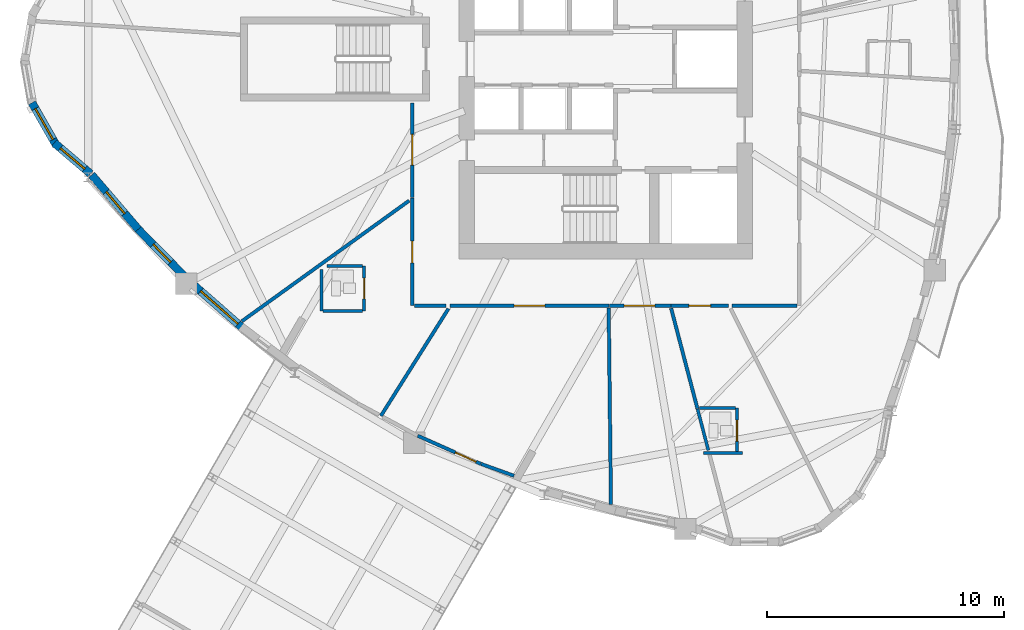
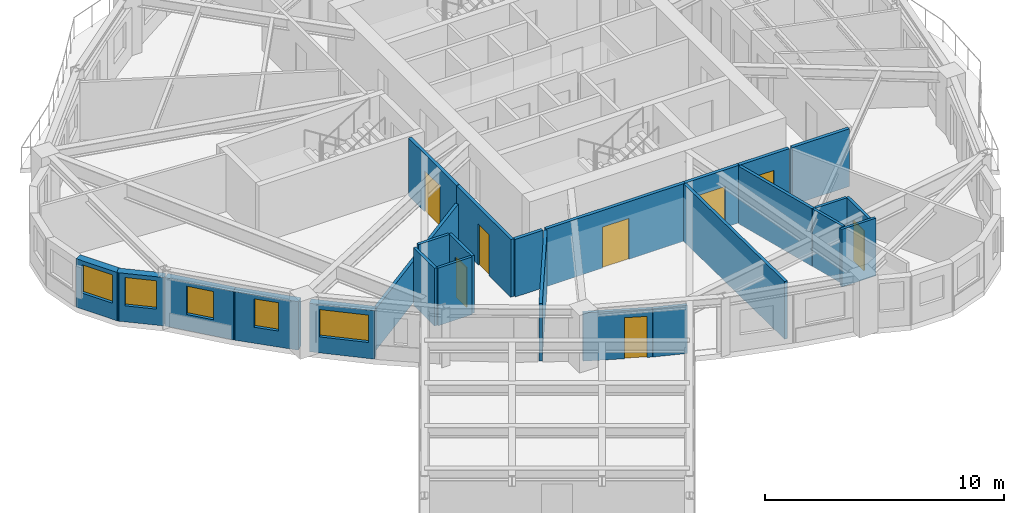
# One storey, part 5 of 17: 26 walls, 8 doors, 5 windows, 13 openings.
"""IFC4 building model written with IfcOpenShell, lengths in metres."""

from ifc_helpers import new_model, si_unit, direction, frame, frame_2d, origin, place, context, subcontext, project, spatial, rectangle, extrude, source, transform, mapped, material, layer, layer_set, type_object, element, fill, save


model = new_model("IFC4")

# Units and contexts
model_context = context("Model", 3, precision=1e-05, world=origin(), true_north=direction((0.0, 1.0)))
body_context = subcontext(model_context, "Body", "Model", "MODEL_VIEW")
ifc_project = project(units=[si_unit("LENGTHUNIT", "METRE"), si_unit("AREAUNIT", "SQUARE_METRE"), si_unit("VOLUMEUNIT", "CUBIC_METRE"), si_unit("PLANEANGLEUNIT", "RADIAN"), si_unit("MASSUNIT", "GRAM", prefix="KILO")], contexts=[model_context])

# Site, building, storey
site_placement = place(None, origin())
site = spatial("IfcSite", under=ifc_project, at=site_placement, CompositionType="ELEMENT")
building_placement = place(site_placement, origin())
building = spatial("IfcBuilding", under=site, at=building_placement, Name="Qafzar Sky-Pleat Residences", CompositionType="ELEMENT")
storey_placement = place(building_placement, frame((0.0, 0.0, 115.199951171875)))
storey = spatial("IfcBuildingStorey", under=building, at=storey_placement, Name="L34", CompositionType="ELEMENT", Elevation=115.199951171875)

# Wall, opening, door
ifc_material_1 = material(Name="Acoustic gypsum plasterboard partition", Category="gypsum")
ifc_layer_1 = layer(ifc_material_1, 0.159912109375)
ifc_layer_set_1 = layer_set([ifc_layer_1], Name="Acoustic gypsum plasterboard partition")
wall_type_1 = type_object("IfcWallType", Name="PART-COR-160", PredefinedType="PARTITIONING", material=ifc_layer_set_1)
wall_1_placement = place(storey_placement, frame((30.486083984375, 15.570068359375, 0.0), z_axis=(0.0, 0.0, 1.0), x_axis=(-1.0, 0.0, 0.0)))
wall_1 = element("IfcWall", 1, at=wall_1_placement, inside=storey, type_object=wall_type_1, Name="L34 Partition Wall PART-L34-PW-002", PredefinedType="PARTITIONING", context=body_context, shape_type="SweptSolid", body=[
    extrude(rectangle(XDim=6.72509765625, YDim=0.159912109375, at=frame_2d((3.362548828125, 0.0))), origin(), (0.0, 0.0, 1.0), 2.949951171875),
])
opening_1_placement = place(wall_1_placement, frame((2.71142578125, 0.0, 0.0)))
opening_1 = element("IfcOpeningElement", 2, at=opening_1_placement, cuts=wall_1, Name="Opening ID-05", PredefinedType="OPENING", context=body_context, shape_type="SweptSolid", body=[
    extrude(rectangle(XDim=1.300048828125, YDim=2.10009765625, at=frame_2d((0.64990234375, 1.050048828125))), frame((0.0, 0.08984375, 0.0), z_axis=(0.0, -1.0, 0.0), x_axis=(1.0, 0.0, 0.0)), (0.0, 0.0, 1.0), 0.179931640625),
])
ifc_material_2 = material(Name="Timber-faced fire door", Category="wood")
door_type_1 = type_object("IfcDoorType", Name="DR-LNG-1300", OperationType="DOUBLE_DOOR_SINGLE_SWING", PredefinedType="DOOR", material=ifc_material_2)
shared_shape_1 = source(origin(), body_context, "Body", "SweptSolid", [
    extrude(rectangle(XDim=1.300048828125, YDim=2.10009765625, at=frame_2d((0.64990234375, 1.050048828125))), frame((0.0, 0.02490234375, 0.0), z_axis=(0.0, -1.0, 0.0), x_axis=(1.0, 0.0, 0.0)), (0.0, 0.0, 1.0), 0.050048828125),
])
door_1_placement = place(opening_1_placement, origin())
door_1 = element("IfcDoor", 3, at=door_1_placement, inside=storey, type_object=door_type_1, Name="L34 Co-Living Lounge Door", OperationType="DOUBLE_DOOR_SINGLE_SWING", OverallHeight=2.10009765625, OverallWidth=1.300048828125, PredefinedType="DOOR", context=body_context, shape_type="MappedRepresentation", body=[
    mapped(shared_shape_1, transform((0.0, 0.0, 0.0), x_axis=(1.0, 0.0, 0.0), y_axis=(0.0, 1.0, 0.0), z_axis=(0.0, 0.0, 1.0), scale=1.0)),
])
fill(opening_1, door_1)

wall_2_placement = place(storey_placement, frame((22.169921875, 15.570068359375, 0.0), z_axis=(0.0, 0.0, 1.0), x_axis=(0.0, 1.0, 0.0)))
wall_2 = element("IfcWall", 4, at=wall_2_placement, inside=storey, type_object=wall_type_1, Name="L34 Partition Wall PART-L34-PW-005", PredefinedType="PARTITIONING", context=body_context, shape_type="SweptSolid", body=[
    extrude(rectangle(XDim=4.554931640625, YDim=0.159912109375, at=frame_2d((2.27734375, 0.0))), origin(), (0.0, 0.0, 1.0), 2.949951171875),
])
opening_2_placement = place(wall_2_placement, frame((1.80810546875, 0.0, 0.0)))
opening_2 = element("IfcOpeningElement", 5, at=opening_2_placement, cuts=wall_2, Name="Opening ID-04", PredefinedType="OPENING", context=body_context, shape_type="SweptSolid", body=[
    extrude(rectangle(XDim=0.919921875, YDim=2.10009765625, at=frame_2d((0.4599609375, 1.050048828125))), frame((0.0, 0.08984375, 0.0), z_axis=(0.0, -1.0, 0.0), x_axis=(1.0, 0.0, 0.0)), (0.0, 0.0, 1.0), 0.179931640625),
])
door_type_2 = type_object("IfcDoorType", Name="DR-BED-920", OperationType="NOTDEFINED", PredefinedType="DOOR", material=ifc_material_2)
shared_shape_2 = source(origin(), body_context, "Body", "SweptSolid", [
    extrude(rectangle(XDim=0.919921875, YDim=2.10009765625, at=frame_2d((0.4599609375, 1.050048828125))), frame((0.0, 0.02490234375, 0.0), z_axis=(0.0, -1.0, 0.0), x_axis=(1.0, 0.0, 0.0)), (0.0, 0.0, 1.0), 0.050048828125),
])
door_2_placement = place(opening_2_placement, origin())
door_2 = element("IfcDoor", 6, at=door_2_placement, inside=storey, type_object=door_type_2, Name="L34 Co-Living Bedroom 7 Door", OperationType="SINGLE_SWING_LEFT", OverallHeight=2.10009765625, OverallWidth=0.919921875, PredefinedType="DOOR", context=body_context, shape_type="MappedRepresentation", body=[
    mapped(shared_shape_2, transform((0.0, 0.0, 0.0), x_axis=(1.0, 0.0, 0.0), y_axis=(0.0, 1.0, 0.0), z_axis=(0.0, 0.0, 1.0), scale=1.0)),
])
fill(opening_2, door_2)

wall_3_placement = place(storey_placement, frame((22.169921875, 20.139892578125, 0.0), z_axis=(0.0, 0.0, 1.0), x_axis=(0.0, 1.0, 0.0)))
wall_3 = element("IfcWall", 7, at=wall_3_placement, inside=storey, type_object=wall_type_1, Name="L34 Partition Wall PART-L34-PW-006", PredefinedType="PARTITIONING", context=body_context, shape_type="SweptSolid", body=[
    extrude(rectangle(XDim=4.010009765625, YDim=0.159912109375, at=frame_2d((2.0048828125, 0.0))), origin(), (0.0, 0.0, 1.0), 2.949951171875),
])
opening_3_placement = place(wall_3_placement, frame((1.37548828125, 0.0, 0.0)))
opening_3 = element("IfcOpeningElement", 8, at=opening_3_placement, cuts=wall_3, Name="Opening ID-05", PredefinedType="OPENING", context=body_context, shape_type="SweptSolid", body=[
    extrude(rectangle(XDim=1.300048828125, YDim=2.10009765625, at=frame_2d((0.64990234375, 1.050048828125))), frame((0.0, 0.08984375, 0.0), z_axis=(0.0, -1.0, 0.0), x_axis=(1.0, 0.0, 0.0)), (0.0, 0.0, 1.0), 0.179931640625),
])
door_3_placement = place(opening_3_placement, origin())
door_3 = element("IfcDoor", 9, at=door_3_placement, inside=storey, type_object=door_type_1, Name="L34 Academic Seminar Room Door", OperationType="DOUBLE_DOOR_SINGLE_SWING", OverallHeight=2.10009765625, OverallWidth=1.300048828125, PredefinedType="DOOR", context=body_context, shape_type="MappedRepresentation", body=[
    mapped(shared_shape_1, transform((0.0, 0.0, 0.0), x_axis=(1.0, 0.0, 0.0), y_axis=(0.0, 1.0, 0.0), z_axis=(0.0, 0.0, 1.0), scale=1.0)),
])
fill(opening_3, door_3)

wall_4_placement = place(storey_placement, frame((33.09912109375, 15.570068359375, 0.0), z_axis=(0.0, 0.0, 1.0), x_axis=(-1.0, 0.0, 0.0)))
wall_4 = element("IfcWall", 10, at=wall_4_placement, inside=storey, type_object=wall_type_1, Name="L34 Partition Wall PART-L34-PW-010", PredefinedType="PARTITIONING", context=body_context, shape_type="SweptSolid", body=[
    extrude(rectangle(XDim=2.59814453125, YDim=0.159912109375, at=frame_2d((1.299072265625, 0.0))), origin(), (0.0, 0.0, 1.0), 2.949951171875),
])
opening_4_placement = place(wall_4_placement, frame((0.67138671875, 0.0, 0.0)))
opening_4 = element("IfcOpeningElement", 11, at=opening_4_placement, cuts=wall_4, Name="Opening ID-05", PredefinedType="OPENING", context=body_context, shape_type="SweptSolid", body=[
    extrude(rectangle(XDim=1.300048828125, YDim=2.10009765625, at=frame_2d((0.64990234375, 1.050048828125))), frame((0.0, 0.08984375, 0.0), z_axis=(0.0, -1.0, 0.0), x_axis=(1.0, 0.0, 0.0)), (0.0, 0.0, 1.0), 0.179931640625),
])
door_4_placement = place(opening_4_placement, origin())
door_4 = element("IfcDoor", 12, at=door_4_placement, inside=storey, type_object=door_type_1, Name="L34 Communal Kitchen Door", OperationType="DOUBLE_DOOR_SINGLE_SWING", OverallHeight=2.10009765625, OverallWidth=1.300048828125, PredefinedType="DOOR", context=body_context, shape_type="MappedRepresentation", body=[
    mapped(shared_shape_1, transform((0.0, 0.0, 0.0), x_axis=(1.0, 0.0, 0.0), y_axis=(0.0, 1.0, 0.0), z_axis=(0.0, 0.0, 1.0), scale=1.0)),
])
fill(opening_4, door_4)

wall_5_placement = place(storey_placement, frame((35.535888671875, 15.570068359375, 0.0), z_axis=(0.0, 0.0, 1.0), x_axis=(-1.0, 0.0, 0.0)))
wall_5 = element("IfcWall", 13, at=wall_5_placement, inside=storey, type_object=wall_type_1, Name="L34 Partition Wall PART-L34-PW-013", PredefinedType="PARTITIONING", context=body_context, shape_type="SweptSolid", body=[
    extrude(rectangle(XDim=2.421875, YDim=0.159912109375, at=frame_2d((1.2109375, 0.0))), origin(), (0.0, 0.0, 1.0), 2.949951171875),
])
opening_5_placement = place(wall_5_placement, frame((0.75, 0.0, 0.0)))
opening_5 = element("IfcOpeningElement", 14, at=opening_5_placement, cuts=wall_5, Name="Opening ID-04", PredefinedType="OPENING", context=body_context, shape_type="SweptSolid", body=[
    extrude(rectangle(XDim=0.919921875, YDim=2.10009765625, at=frame_2d((0.4599609375, 1.050048828125))), frame((0.0, 0.08984375, 0.0), z_axis=(0.0, -1.0, 0.0), x_axis=(1.0, 0.0, 0.0)), (0.0, 0.0, 1.0), 0.179931640625),
])
door_5_placement = place(opening_5_placement, origin())
door_5 = element("IfcDoor", 15, at=door_5_placement, inside=storey, type_object=door_type_2, Name="L34 Co-Living Bedroom 8 Door", OperationType="SINGLE_SWING_LEFT", OverallHeight=2.10009765625, OverallWidth=0.919921875, PredefinedType="DOOR", context=body_context, shape_type="MappedRepresentation", body=[
    mapped(shared_shape_2, transform((0.0, 0.0, 0.0), x_axis=(1.0, 0.0, 0.0), y_axis=(0.0, 1.0, 0.0), z_axis=(0.0, 0.0, 1.0), scale=1.0)),
])
fill(opening_5, door_5)

# Walls
wall_6_placement = place(storey_placement, frame((35.68017578125, 15.570068359375, 0.0), z_axis=(0.0, 0.0, 1.0), x_axis=(1.0, 0.0, 0.0)))
element("IfcWall", 16, at=wall_6_placement, inside=storey, type_object=wall_type_1, Name="L34 Partition Wall PART-L34-PW-051", PredefinedType="PARTITIONING", context=body_context, shape_type="SweptSolid", body=[
    extrude(rectangle(XDim=2.76171875, YDim=0.159912109375, at=frame_2d((1.380859375, 0.0))), origin(), (0.0, 0.0, 1.0), 2.949951171875),
])
wall_7_placement = place(storey_placement, frame((22.258056640625, 15.570068359375, 0.0), z_axis=(0.0, 0.0, 1.0), x_axis=(1.0, 0.0, 0.0)))
element("IfcWall", 17, at=wall_7_placement, inside=storey, type_object=wall_type_1, Name="L34 Partition Wall PART-L34-PW-070", PredefinedType="PARTITIONING", context=body_context, shape_type="SweptSolid", body=[
    extrude(rectangle(XDim=1.34375, YDim=0.159912109375, at=frame_2d((0.671875, 0.0))), origin(), (0.0, 0.0, 1.0), 2.949951171875),
])

# Wall, opening, door
ifc_layer_2 = layer(ifc_material_1, 0.14501953125)
ifc_layer_set_2 = layer_set([ifc_layer_2], Name="Acoustic gypsum plasterboard partition")
wall_type_2 = type_object("IfcWallType", Name="PART-UNIT-145", PredefinedType="PARTITIONING", material=ifc_layer_set_2)
wall_8_placement = place(storey_placement, frame((25.071044921875, 8.884033203125, 0.0), z_axis=(0.0, 0.0, 1.0), x_axis=(-0.913404708383, 0.407052623997, 0.0)))
wall_8 = element("IfcWall", 18, at=wall_8_placement, inside=storey, type_object=wall_type_2, Name="L34 Partition Wall PART-L34-PW-008", PredefinedType="PARTITIONING", context=body_context, shape_type="SweptSolid", body=[
    extrude(rectangle(XDim=2.92333984375, YDim=0.14501953125, at=frame_2d((1.461669921875, 0.0))), origin(), (0.0, 0.0, 1.0), 2.468017578125),
])
opening_6_placement = place(wall_8_placement, frame((0.219970703125, 0.0, 0.0)))
opening_6 = element("IfcOpeningElement", 19, at=opening_6_placement, cuts=wall_8, Name="Opening ID-06", PredefinedType="OPENING", context=body_context, shape_type="SweptSolid", body=[
    extrude(rectangle(XDim=0.9599609375, YDim=2.10009765625, at=frame_2d((0.47998046875, 1.050048828125))), frame((0.0, 0.08251953125, 0.0), z_axis=(0.0, -1.0, 0.0), x_axis=(1.0, 0.0, 0.0)), (0.0, 0.0, 1.0), 0.1650390625),
])
door_type_3 = type_object("IfcDoorType", Name="DR-STD-960", OperationType="NOTDEFINED", PredefinedType="DOOR", material=ifc_material_2)
shared_shape_3 = source(origin(), body_context, "Body", "SweptSolid", [
    extrude(rectangle(XDim=0.9599609375, YDim=2.10009765625, at=frame_2d((0.47998046875, 1.050048828125))), frame((0.0, 0.02490234375, 0.0), z_axis=(0.0, -1.0, 0.0), x_axis=(1.0, 0.0, 0.0)), (0.0, 0.0, 1.0), 0.050048828125),
])
door_6_placement = place(opening_6_placement, origin())
door_6 = element("IfcDoor", 20, at=door_6_placement, inside=storey, type_object=door_type_3, Name="L34 Sky-Bar Reading Library Door", OperationType="SINGLE_SWING_LEFT", OverallHeight=2.10009765625, OverallWidth=0.9599609375, PredefinedType="DOOR", context=body_context, shape_type="MappedRepresentation", body=[
    mapped(shared_shape_3, transform((0.0, 0.0, 0.0), x_axis=(1.0, 0.0, 0.0), y_axis=(0.0, 1.0, 0.0), z_axis=(0.0, 0.0, 1.0), scale=1.0)),
])
fill(opening_6, door_6)

# Walls
wall_9_placement = place(storey_placement, frame((14.96630859375, 14.915283203125, 0.0), z_axis=(0.0, 0.0, 1.0), x_axis=(0.811310715309, 0.584615192434, 0.0)))
element("IfcWall", 21, at=wall_9_placement, inside=storey, type_object=wall_type_2, Name="L34 Partition Wall PART-L34-PW-036", PredefinedType="PARTITIONING", context=body_context, shape_type="SweptSolid", body=[
    extrude(rectangle(XDim=8.72021484375, YDim=0.14501953125, at=frame_2d((4.360107421875, 0.0))), origin(), (0.0, 0.0, 1.0), 2.1181640625),
])
wall_10_placement = place(storey_placement, frame((30.471923828125, 15.481201171875, 0.0), z_axis=(0.0, 0.0, 1.0), x_axis=(0.011623708307, -0.999932442421, 0.0)))
element("IfcWall", 22, at=wall_10_placement, inside=storey, type_object=wall_type_2, Name="L34 Partition Wall PART-L34-PW-038", PredefinedType="PARTITIONING", context=body_context, shape_type="SweptSolid", body=[
    extrude(rectangle(XDim=8.3173828125, YDim=0.14501953125, at=frame_2d((4.15869140625, 0.0))), origin(), (0.0, 0.0, 1.0), 2.949951171875),
])
wall_11_placement = place(storey_placement, frame((20.844970703125, 10.9140625, 0.0), z_axis=(0.0, 0.0, 1.0), x_axis=(0.533007953382, 0.846110230189, 0.0)))
element("IfcWall", 23, at=wall_11_placement, inside=storey, type_object=wall_type_2, Name="L34 Partition Wall PART-L34-PW-044", PredefinedType="PARTITIONING", context=body_context, shape_type="SweptSolid", body=[
    extrude(rectangle(XDim=5.3544921875, YDim=0.14501953125, at=frame_2d((2.67724609375, 0.0))), origin(), (0.0, 0.0, 1.0), 2.949951171875),
])
wall_12_placement = place(storey_placement, frame((33.11181640625, 15.4638671875, 0.0), z_axis=(0.0, 0.0, 1.0), x_axis=(0.253558008984, -0.967320182814, 0.0)))
element("IfcWall", 24, at=wall_12_placement, inside=storey, type_object=wall_type_2, Name="L34 Partition Wall PART-L34-PW-045", PredefinedType="PARTITIONING", context=body_context, shape_type="SweptSolid", body=[
    extrude(rectangle(XDim=4.382080078125, YDim=0.14501953125, at=frame_2d((2.19091796875, 0.0))), origin(), (0.0, 0.0, 1.0), 2.949951171875),
])
wall_13_placement = place(storey_placement, frame((25.085205078125, 8.87890625, 0.0), z_axis=(0.0, 0.0, 1.0), x_axis=(0.941166260093, -0.337943887151, 0.0)))
element("IfcWall", 25, at=wall_13_placement, inside=storey, type_object=wall_type_2, Name="L34 Partition Wall PART-L34-PW-076", PredefinedType="PARTITIONING", context=body_context, shape_type="SweptSolid", body=[
    extrude(rectangle(XDim=1.4716796875, YDim=0.14501953125, at=frame_2d((0.73583984375, 0.0))), origin(), (0.0, 0.0, 1.0), 2.468017578125),
])

# Wall, opening, door
ifc_material_3 = material(Name="Moisture-resistant gypsum partition", Category="gypsum")
ifc_layer_3 = layer(ifc_material_3, 0.1298828125)
ifc_layer_set_3 = layer_set([ifc_layer_3], Name="Moisture-resistant gypsum partition")
wall_type_3 = type_object("IfcWallType", Name="PART-WET-130", PredefinedType="PARTITIONING", material=ifc_layer_set_3)
wall_14_placement = place(storey_placement, frame((20.133056640625, 15.35107421875, 0.0), z_axis=(0.0, 0.0, 1.0), x_axis=(0.0, 1.0, 0.0)))
wall_14 = element("IfcWall", 26, at=wall_14_placement, inside=storey, type_object=wall_type_3, Name="L34 Partition Wall PART-L34-PW-020", PredefinedType="PARTITIONING", context=body_context, shape_type="SweptSolid", body=[
    extrude(rectangle(XDim=1.89990234375, YDim=0.1298828125, at=frame_2d((0.949951171875, 0.0))), origin(), (0.0, 0.0, 1.0), 2.949951171875),
])
opening_7_placement = place(wall_14_placement, frame((0.510009765625, 0.0, 0.0)))
opening_7 = element("IfcOpeningElement", 27, at=opening_7_placement, cuts=wall_14, Name="Opening ID-07", PredefinedType="OPENING", context=body_context, shape_type="SweptSolid", body=[
    extrude(rectangle(XDim=0.8798828125, YDim=2.050048828125, at=frame_2d((0.43994140625, 1.02490234375))), frame((0.0, 0.074951171875, 0.0), z_axis=(0.0, -1.0, 0.0), x_axis=(1.0, 0.0, 0.0)), (0.0, 0.0, 1.0), 0.14990234375),
])
door_type_4 = type_object("IfcDoorType", Name="DR-WET-880", OperationType="NOTDEFINED", PredefinedType="DOOR", material=ifc_material_2)
shared_shape_4 = source(origin(), body_context, "Body", "SweptSolid", [
    extrude(rectangle(XDim=0.8798828125, YDim=2.050048828125, at=frame_2d((0.43994140625, 1.02490234375))), frame((0.0, 0.02490234375, 0.0), z_axis=(0.0, -1.0, 0.0), x_axis=(1.0, 0.0, 0.0)), (0.0, 0.0, 1.0), 0.050048828125),
])
door_7_placement = place(opening_7_placement, origin())
door_7 = element("IfcDoor", 28, at=door_7_placement, inside=storey, type_object=door_type_4, Name="L34 En-suite Bathroom 7 Door", OperationType="SINGLE_SWING_LEFT", OverallHeight=2.050048828125, OverallWidth=0.8798828125, PredefinedType="DOOR", context=body_context, shape_type="MappedRepresentation", body=[
    mapped(shared_shape_4, transform((0.0, 0.0, 0.0), x_axis=(1.0, 0.0, 0.0), y_axis=(0.0, 1.0, 0.0), z_axis=(0.0, 0.0, 1.0), scale=1.0)),
])
fill(opening_7, door_7)

wall_15_placement = place(storey_placement, frame((35.89892578125, 9.4130859375, 0.0), z_axis=(0.0, 0.0, 1.0), x_axis=(0.0, 1.0, 0.0)))
wall_15 = element("IfcWall", 29, at=wall_15_placement, inside=storey, type_object=wall_type_3, Name="L34 Partition Wall PART-L34-PW-021", PredefinedType="PARTITIONING", context=body_context, shape_type="SweptSolid", body=[
    extrude(rectangle(XDim=1.826904296875, YDim=0.1298828125, at=frame_2d((0.91357421875, 0.0))), origin(), (0.0, 0.0, 1.0), 2.949951171875),
])
opening_8_placement = place(wall_15_placement, frame((0.43701171875, 0.0, 0.0)))
opening_8 = element("IfcOpeningElement", 30, at=opening_8_placement, cuts=wall_15, Name="Opening ID-07", PredefinedType="OPENING", context=body_context, shape_type="SweptSolid", body=[
    extrude(rectangle(XDim=0.8798828125, YDim=2.050048828125, at=frame_2d((0.43994140625, 1.02490234375))), frame((0.0, 0.074951171875, 0.0), z_axis=(0.0, -1.0, 0.0), x_axis=(1.0, 0.0, 0.0)), (0.0, 0.0, 1.0), 0.14990234375),
])
door_8_placement = place(opening_8_placement, origin())
door_8 = element("IfcDoor", 31, at=door_8_placement, inside=storey, type_object=door_type_4, Name="L34 En-suite Bathroom 8 Door", OperationType="SINGLE_SWING_RIGHT", OverallHeight=2.050048828125, OverallWidth=0.8798828125, PredefinedType="DOOR", context=body_context, shape_type="MappedRepresentation", body=[
    mapped(shared_shape_4, transform((0.0, 0.0, 0.0), x_axis=(1.0, 0.0, 0.0), y_axis=(0.0, 1.0, 0.0), z_axis=(0.0, 0.0, 1.0), scale=1.0)),
])
fill(opening_8, door_8)

# Walls
wall_16_placement = place(storey_placement, frame((34.226806640625, 11.21044921875, 0.0), z_axis=(0.0, 0.0, 1.0), x_axis=(0.2534645297, -0.967344681168, 0.0)))
element("IfcWall", 32, at=wall_16_placement, inside=storey, type_object=wall_type_3, Name="L34 Partition Wall PART-L34-PW-055", PredefinedType="PARTITIONING", context=body_context, shape_type="SweptSolid", body=[
    extrude(rectangle(XDim=1.810791015625, YDim=0.1298828125, at=frame_2d((0.9052734375, 0.0))), origin(), (0.0, 0.0, 1.0), 2.949951171875),
])
wall_17_placement = place(storey_placement, frame((18.3330078125, 15.35107421875, 0.0), z_axis=(0.0, 0.0, 1.0), x_axis=(0.0, 1.0, 0.0)))
element("IfcWall", 33, at=wall_17_placement, inside=storey, type_object=wall_type_3, Name="L34 Partition Wall PART-L34-PW-056", PredefinedType="PARTITIONING", context=body_context, shape_type="SweptSolid", body=[
    extrude(rectangle(XDim=1.755615234375, YDim=0.1298828125, at=frame_2d((0.8779296875, 0.0))), origin(), (0.0, 0.0, 1.0), 2.949951171875),
])
wall_18_placement = place(storey_placement, frame((18.55517578125, 17.2509765625, 0.0), z_axis=(0.0, 0.0, 1.0), x_axis=(1.0, 0.0, 0.0)))
element("IfcWall", 34, at=wall_18_placement, inside=storey, type_object=wall_type_3, Name="L34 Partition Wall PART-L34-PW-059", PredefinedType="PARTITIONING", context=body_context, shape_type="SweptSolid", body=[
    extrude(rectangle(XDim=1.5048828125, YDim=0.1298828125, at=frame_2d((0.75244140625, 0.0))), origin(), (0.0, 0.0, 1.0), 2.949951171875),
])
wall_19_placement = place(storey_placement, frame((18.406005859375, 15.35107421875, 0.0), z_axis=(0.0, 0.0, 1.0), x_axis=(1.0, 0.0, 0.0)))
element("IfcWall", 35, at=wall_19_placement, inside=storey, type_object=wall_type_3, Name="L34 Partition Wall PART-L34-PW-060", PredefinedType="PARTITIONING", context=body_context, shape_type="SweptSolid", body=[
    extrude(rectangle(XDim=1.654052734375, YDim=0.1298828125, at=frame_2d((0.8271484375, 0.0))), origin(), (0.0, 0.0, 1.0), 2.949951171875),
])
wall_20_placement = place(storey_placement, frame((34.319091796875, 11.239990234375, 0.0), z_axis=(0.0, 0.0, 1.0), x_axis=(1.0, 0.0, 0.0)))
element("IfcWall", 36, at=wall_20_placement, inside=storey, type_object=wall_type_3, Name="L34 Partition Wall PART-L34-PW-069", PredefinedType="PARTITIONING", context=body_context, shape_type="SweptSolid", body=[
    extrude(rectangle(XDim=1.5068359375, YDim=0.1298828125, at=frame_2d((0.75341796875, 0.0))), origin(), (0.0, 0.0, 1.0), 2.949951171875),
])
wall_21_placement = place(storey_placement, frame((34.47705078125, 9.340087890625, 0.0), z_axis=(0.0, 0.0, 1.0), x_axis=(1.0, 0.0, 0.0)))
element("IfcWall", 37, at=wall_21_placement, inside=storey, type_object=wall_type_3, Name="L34 Partition Wall PART-L34-PW-083", PredefinedType="PARTITIONING", context=body_context, shape_type="SweptSolid", body=[
    extrude(rectangle(XDim=1.661865234375, YDim=0.1298828125, at=frame_2d((0.8310546875, 0.0))), origin(), (0.0, 0.0, 1.0), 2.949951171875),
])

# Wall, opening, window
ifc_material_4 = material(Name="Precast concrete C40/50 with honed Riyadh limestone", Category="concrete")
ifc_layer_4 = layer(ifc_material_4, 0.340087890625)
ifc_layer_set_4 = layer_set([ifc_layer_4], Name="Precast concrete C40/50 with honed Riyadh limestone")
wall_type_4 = type_object("IfcWallType", Name="WALL-EXT-340", PredefinedType="SOLIDWALL", material=ifc_layer_set_4)
wall_22_placement = place(storey_placement, frame((6.09228515625, 24.150146484375, 0.0), z_axis=(0.0, 0.0, 1.0), x_axis=(0.496037473582, -0.868301114132, 0.0)))
wall_22 = element("IfcWall", 38, at=wall_22_placement, inside=storey, type_object=wall_type_4, Name="L34 Limestone Facade Wall 5", PredefinedType="SOLIDWALL", context=body_context, shape_type="SweptSolid", body=[
    extrude(rectangle(XDim=2.072998046875, YDim=0.340087890625, at=frame_2d((1.03662109375, 0.0))), origin(), (0.0, 0.0, 1.0), 2.47998046875),
])
opening_9_placement = place(wall_22_placement, frame((0.28662109375, 0.0, 0.820068359375)))
opening_9 = element("IfcOpeningElement", 39, at=opening_9_placement, cuts=wall_22, Name="Opening WN-03", PredefinedType="OPENING", context=body_context, shape_type="SweptSolid", body=[
    extrude(rectangle(XDim=1.5, YDim=1.449951171875, at=frame_2d((0.75, 0.72509765625))), frame((0.0, 0.18017578125, 0.0), z_axis=(0.0, -1.0, 0.0), x_axis=(1.0, 0.0, 0.0)), (0.0, 0.0, 1.0), 0.360107421875),
])
ifc_material_5 = material(Name="Solar-control low-E glass in bronze aluminium frame", Category="glass")
window_type_1 = type_object("IfcWindowType", Name="WIN-03", PartitioningType="DOUBLE_PANEL_VERTICAL", PredefinedType="WINDOW", material=ifc_material_5)
shared_shape_5 = source(origin(), body_context, "Body", "SweptSolid", [
    extrude(rectangle(XDim=1.5, YDim=1.449951171875, at=frame_2d((0.75, 0.72509765625))), frame((0.0, 0.030029296875, 0.0), z_axis=(0.0, -1.0, 0.0), x_axis=(1.0, 0.0, 0.0)), (0.0, 0.0, 1.0), 0.06005859375),
])
window_1_placement = place(opening_9_placement, origin())
window_1 = element("IfcWindow", 40, at=window_1_placement, inside=storey, type_object=window_type_1, Name="L34 Punched Facade Window 05", OverallHeight=1.449951171875, OverallWidth=1.5, PartitioningType="SINGLE_PANEL", PredefinedType="WINDOW", context=body_context, shape_type="MappedRepresentation", body=[
    mapped(shared_shape_5, transform((0.0, 0.0, 0.0), x_axis=(1.0, 0.0, 0.0), y_axis=(0.0, 1.0, 0.0), z_axis=(0.0, 0.0, 1.0), scale=1.0)),
])
fill(opening_9, window_1)

wall_23_placement = place(storey_placement, frame((7.035400390625, 22.452880859375, 0.0), z_axis=(0.0, 0.0, 1.0), x_axis=(0.76114353683, -0.648583469063, 0.0)))
wall_23 = element("IfcWall", 41, at=wall_23_placement, inside=storey, type_object=wall_type_4, Name="L34 Limestone Facade Wall 6", PredefinedType="SOLIDWALL", context=body_context, shape_type="SweptSolid", body=[
    extrude(rectangle(XDim=2.014892578125, YDim=0.340087890625, at=frame_2d((1.00732421875, 0.0))), origin(), (0.0, 0.0, 1.0), 2.47998046875),
])
opening_10_placement = place(wall_23_placement, frame((0.342529296875, 0.0, 0.820068359375)))
opening_10 = element("IfcOpeningElement", 42, at=opening_10_placement, cuts=wall_23, Name="Opening WN-04", PredefinedType="OPENING", context=body_context, shape_type="SweptSolid", body=[
    extrude(rectangle(XDim=1.35009765625, YDim=1.449951171875, at=frame_2d((0.675048828125, 0.72509765625))), frame((0.0, 0.18017578125, 0.0), z_axis=(0.0, -1.0, 0.0), x_axis=(1.0, 0.0, 0.0)), (0.0, 0.0, 1.0), 0.360107421875),
])
window_type_2 = type_object("IfcWindowType", Name="WIN-04", PartitioningType="SINGLE_PANEL", PredefinedType="WINDOW", material=ifc_material_5)
shared_shape_6 = source(origin(), body_context, "Body", "SweptSolid", [
    extrude(rectangle(XDim=1.35009765625, YDim=1.449951171875, at=frame_2d((0.675048828125, 0.72509765625))), frame((0.0, 0.030029296875, 0.0), z_axis=(0.0, -1.0, 0.0), x_axis=(1.0, 0.0, 0.0)), (0.0, 0.0, 1.0), 0.06005859375),
])
window_2_placement = place(opening_10_placement, origin())
window_2 = element("IfcWindow", 43, at=window_2_placement, inside=storey, type_object=window_type_2, Name="L34 Punched Facade Window 06", OverallHeight=1.449951171875, OverallWidth=1.35009765625, PartitioningType="SINGLE_PANEL", PredefinedType="WINDOW", context=body_context, shape_type="MappedRepresentation", body=[
    mapped(shared_shape_6, transform((0.0, 0.0, 0.0), x_axis=(1.0, 0.0, 0.0), y_axis=(0.0, 1.0, 0.0), z_axis=(0.0, 0.0, 1.0), scale=1.0)),
])
fill(opening_10, window_2)

wall_24_placement = place(storey_placement, frame((8.6162109375, 21.09912109375, 0.0), z_axis=(0.0, 0.0, 1.0), x_axis=(0.650713874475, -0.759323023203, 0.0)))
wall_24 = element("IfcWall", 44, at=wall_24_placement, inside=storey, type_object=wall_type_4, Name="L34 Limestone Facade Wall 7", PredefinedType="SOLIDWALL", context=body_context, shape_type="SweptSolid", body=[
    extrude(rectangle(XDim=3.11328125, YDim=0.340087890625, at=frame_2d((1.556640625, 0.0))), origin(), (0.0, 0.0, 1.0), 2.47998046875),
])
opening_11_placement = place(wall_24_placement, frame((0.94677734375, 0.0, 0.820068359375)))
opening_11 = element("IfcOpeningElement", 45, at=opening_11_placement, cuts=wall_24, Name="Opening WN-05", PredefinedType="OPENING", context=body_context, shape_type="SweptSolid", body=[
    extrude(rectangle(XDim=1.199951171875, YDim=1.449951171875, at=frame_2d((0.60009765625, 0.72509765625))), frame((0.0, 0.18017578125, 0.0), z_axis=(0.0, -1.0, 0.0), x_axis=(1.0, 0.0, 0.0)), (0.0, 0.0, 1.0), 0.360107421875),
])
window_type_3 = type_object("IfcWindowType", Name="WIN-05", PartitioningType="SINGLE_PANEL", PredefinedType="WINDOW", material=ifc_material_5)
shared_shape_7 = source(origin(), body_context, "Body", "SweptSolid", [
    extrude(rectangle(XDim=1.199951171875, YDim=1.449951171875, at=frame_2d((0.60009765625, 0.72509765625))), frame((0.0, 0.030029296875, 0.0), z_axis=(0.0, -1.0, 0.0), x_axis=(1.0, 0.0, 0.0)), (0.0, 0.0, 1.0), 0.06005859375),
])
window_3_placement = place(opening_11_placement, origin())
window_3 = element("IfcWindow", 46, at=window_3_placement, inside=storey, type_object=window_type_3, Name="L34 Punched Facade Window 07", OverallHeight=1.449951171875, OverallWidth=1.199951171875, PartitioningType="SINGLE_PANEL", PredefinedType="WINDOW", context=body_context, shape_type="MappedRepresentation", body=[
    mapped(shared_shape_7, transform((0.0, 0.0, 0.0), x_axis=(1.0, 0.0, 0.0), y_axis=(0.0, 1.0, 0.0), z_axis=(0.0, 0.0, 1.0), scale=1.0)),
])
fill(opening_11, window_3)

wall_25_placement = place(storey_placement, frame((10.582763671875, 18.7998046875, 0.0), z_axis=(0.0, 0.0, 1.0), x_axis=(0.701884352283, -0.712290920917, 0.0)))
wall_25 = element("IfcWall", 47, at=wall_25_placement, inside=storey, type_object=wall_type_4, Name="L34 Limestone Facade Wall 8", PredefinedType="SOLIDWALL", context=body_context, shape_type="SweptSolid", body=[
    extrude(rectangle(XDim=2.838623046875, YDim=0.340087890625, at=frame_2d((1.41943359375, 0.0))), origin(), (0.0, 0.0, 1.0), 2.47998046875),
])
opening_12_placement = place(wall_25_placement, frame((0.8994140625, 0.0, 0.820068359375)))
opening_12 = element("IfcOpeningElement", 48, at=opening_12_placement, cuts=wall_25, Name="Opening WN-06", PredefinedType="OPENING", context=body_context, shape_type="SweptSolid", body=[
    extrude(rectangle(XDim=1.050048828125, YDim=1.449951171875, at=frame_2d((0.52490234375, 0.72509765625))), frame((0.0, 0.18017578125, 0.0), z_axis=(0.0, -1.0, 0.0), x_axis=(1.0, 0.0, 0.0)), (0.0, 0.0, 1.0), 0.360107421875),
])
window_type_4 = type_object("IfcWindowType", Name="WIN-06", PartitioningType="SINGLE_PANEL", PredefinedType="WINDOW", material=ifc_material_5)
shared_shape_8 = source(origin(), body_context, "Body", "SweptSolid", [
    extrude(rectangle(XDim=1.050048828125, YDim=1.449951171875, at=frame_2d((0.52490234375, 0.72509765625))), frame((0.0, 0.030029296875, 0.0), z_axis=(0.0, -1.0, 0.0), x_axis=(1.0, 0.0, 0.0)), (0.0, 0.0, 1.0), 0.06005859375),
])
window_4_placement = place(opening_12_placement, origin())
window_4 = element("IfcWindow", 49, at=window_4_placement, inside=storey, type_object=window_type_4, Name="L34 Punched Facade Window 08", OverallHeight=1.449951171875, OverallWidth=1.050048828125, PartitioningType="SINGLE_PANEL", PredefinedType="WINDOW", context=body_context, shape_type="MappedRepresentation", body=[
    mapped(shared_shape_8, transform((0.0, 0.0, 0.0), x_axis=(1.0, 0.0, 0.0), y_axis=(0.0, 1.0, 0.0), z_axis=(0.0, 0.0, 1.0), scale=1.0)),
])
fill(opening_12, window_4)

wall_26_placement = place(storey_placement, frame((12.900634765625, 16.470703125, 0.0), z_axis=(0.0, 0.0, 1.0), x_axis=(0.751480442913, -0.659755366722, 0.0)))
wall_26 = element("IfcWall", 50, at=wall_26_placement, inside=storey, type_object=wall_type_4, Name="L34 Limestone Facade Wall 9", PredefinedType="SOLIDWALL", context=body_context, shape_type="SweptSolid", body=[
    extrude(rectangle(XDim=2.789306640625, YDim=0.340087890625, at=frame_2d((1.39453125, 0.0))), origin(), (0.0, 0.0, 1.0), 2.47998046875),
])
opening_13_placement = place(wall_26_placement, frame((0.43017578125, 0.0, 0.820068359375)))
opening_13 = element("IfcOpeningElement", 51, at=opening_13_placement, cuts=wall_26, Name="Opening WN-07", PredefinedType="OPENING", context=body_context, shape_type="SweptSolid", body=[
    extrude(rectangle(XDim=2.10009765625, YDim=1.39990234375, at=frame_2d((1.050048828125, 0.699951171875))), frame((0.0, 0.18017578125, 0.0), z_axis=(0.0, -1.0, 0.0), x_axis=(1.0, 0.0, 0.0)), (0.0, 0.0, 1.0), 0.360107421875),
])
window_type_5 = type_object("IfcWindowType", Name="WIN-07", PartitioningType="DOUBLE_PANEL_VERTICAL", PredefinedType="WINDOW", material=ifc_material_5)
shared_shape_9 = source(origin(), body_context, "Body", "SweptSolid", [
    extrude(rectangle(XDim=2.10009765625, YDim=1.39990234375, at=frame_2d((1.050048828125, 0.699951171875))), frame((0.0, 0.030029296875, 0.0), z_axis=(0.0, -1.0, 0.0), x_axis=(1.0, 0.0, 0.0)), (0.0, 0.0, 1.0), 0.06005859375),
])
window_5_placement = place(opening_13_placement, origin())
window_5 = element("IfcWindow", 52, at=window_5_placement, inside=storey, type_object=window_type_5, Name="L34 Punched Facade Window 09", OverallHeight=1.39990234375, OverallWidth=2.10009765625, PartitioningType="SINGLE_PANEL", PredefinedType="WINDOW", context=body_context, shape_type="MappedRepresentation", body=[
    mapped(shared_shape_9, transform((0.0, 0.0, 0.0), x_axis=(1.0, 0.0, 0.0), y_axis=(0.0, 1.0, 0.0), z_axis=(0.0, 0.0, 1.0), scale=1.0)),
])
fill(opening_13, window_5)

save(model, "model.ifc")
